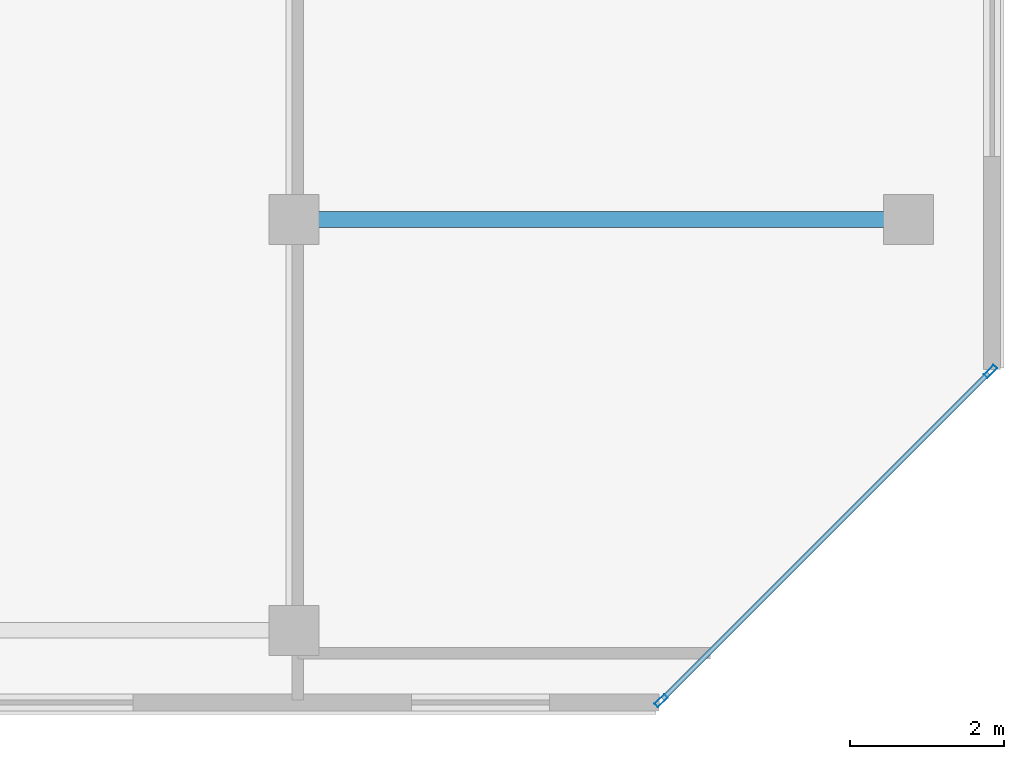
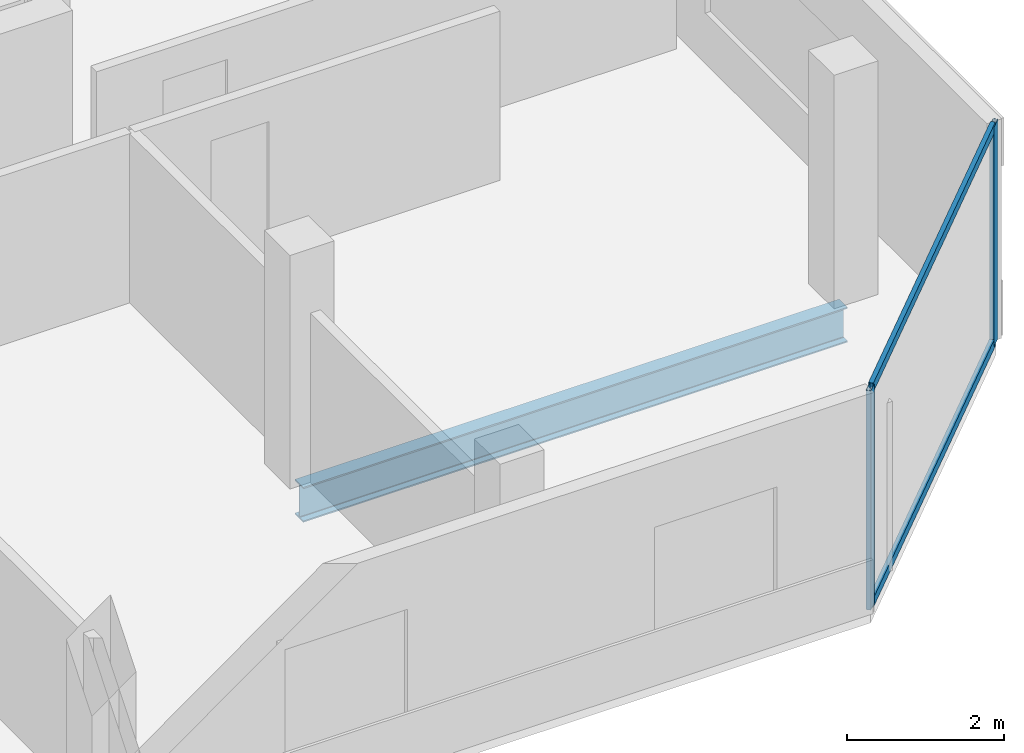
# One storey, part 16 of 28: 4 members, 1 beam, 1 element without a shape of its own.
"""IFC4 building model written with IfcOpenShell, lengths in metres."""

from ifc_helpers import new_model, si_unit, direction, frame, origin, origin_2d, place, context, subcontext, project, spatial, hollow_rectangle, i_section, extrude, material, layer, layer_set, material_profile, profile_set, type_object, element, aggregate, save


model = new_model("IFC4")

# Units and contexts
model_context = context("Model", 3, precision=1e-05, world=origin(), true_north=direction((0.0, 1.0)))
body_context = subcontext(model_context, "Body", "Model", "MODEL_VIEW")
ifc_project = project(units=[si_unit("LENGTHUNIT", "METRE"), si_unit("AREAUNIT", "SQUARE_METRE"), si_unit("VOLUMEUNIT", "CUBIC_METRE"), si_unit("PLANEANGLEUNIT", "RADIAN"), si_unit("MASSUNIT", "GRAM", prefix="KILO")], contexts=[model_context])

# Site, building, storey
site_placement = place(None, origin())
site = spatial("IfcSite", under=ifc_project, at=site_placement, CompositionType="ELEMENT")
building_placement = place(site_placement, origin())
building = spatial("IfcBuilding", under=site, at=building_placement, Name="Tanjung Sevakor Pilgrim Tower", CompositionType="ELEMENT")
storey_placement = place(building_placement, frame((0.0, 0.0, 249.81005859375)))
storey = spatial("IfcBuildingStorey", under=building, at=storey_placement, Name="L70", CompositionType="ELEMENT", Elevation=249.81005859375)

# Beam
ifc_material_1 = material(Name="Steel S355J2", Category="steel")
ifc_material_profile_1 = material_profile(ifc_material_1, i_section(OverallWidth=0.2119140625, OverallDepth=0.54443359375, WebThickness=0.0126953125, FlangeThickness=0.021240234375, FilletRadius=0.0126953125, at=origin_2d()))
ifc_profile_set_1 = profile_set([ifc_material_profile_1], Name="Steel S355J2")
beam_type = type_object("IfcBeamType", Name="BM-B-G5-UB_533x210x122", PredefinedType="BEAM", material=ifc_profile_set_1)
beam_placement = place(storey_placement, frame((90.0, 18.60009765625, -0.492431640625), z_axis=(1.0, 0.0, 0.0), x_axis=(0.0, 1.0, 0.0)))
element("IfcBeam", 1, at=beam_placement, inside=storey, type_object=beam_type, Name="L70 East Peak Wing Girder Y18.6", PredefinedType="BEAM", context=body_context, shape_type="SweptSolid", body=[
    extrude(i_section(OverallWidth=0.2119140625, OverallDepth=0.54443359375, WebThickness=0.0126953125, FlangeThickness=0.021240234375, FilletRadius=0.0126953125, at=origin_2d()), origin(), (0.0, 0.0, 1.0), 8.0),
])

# Curtain wall, members
ifc_material_2 = material(Name="Aluminium 6063-T6 and Low-E Glass", Category="aluminium")
ifc_layer = layer(ifc_material_2, 0.179931640625)
ifc_layer_set = layer_set([ifc_layer], Name="CW-SYS-CHAM")
curtain_wall_type = type_object("IfcCurtainWallType", Name="CW-SYS-CHAM", PredefinedType="NOTDEFINED", material=ifc_layer_set)
curtain_wall_placement = place(storey_placement, origin())
curtain_wall = element("IfcCurtainWall", 2, at=curtain_wall_placement, inside=storey, type_object=curtain_wall_type, Name="L70 Curtain Wall CW-CHM-L70-EAST-1", PredefinedType="NOTDEFINED")
ifc_material_3 = material(Name="Aluminium 6063-T6", Category="aluminium")
ifc_material_profile_2 = material_profile(ifc_material_3, hollow_rectangle(XDim=0.06494140625, YDim=0.179931640625, WallThickness=0.00390625, at=origin_2d()))
ifc_profile_set_2 = profile_set([ifc_material_profile_2], Name="Aluminium 6063-T6")
member_type_1 = type_object("IfcMemberType", Name="TYPE-CWM-1", PredefinedType="MULLION", material=ifc_profile_set_2)
member_1_placement = place(storey_placement, frame((94.77734375, 12.3330078125, 0.0), z_axis=(0.0, 0.0, 1.0), x_axis=(-0.707106781187, 0.707106781187, 0.0)))
member_1 = element("IfcMember", 3, at=member_1_placement, type_object=member_type_1, Name="CW-CHM mullion 1", PredefinedType="MULLION", context=body_context, shape_type="SweptSolid", body=[
    extrude(hollow_rectangle(XDim=0.06494140625, YDim=0.179931640625, WallThickness=0.00390625, at=origin_2d()), origin(), (0.0, 0.0, 1.0), 3.409912109375),
])
member_2_placement = place(storey_placement, frame((99.067138671875, 16.62255859375, 0.0), z_axis=(0.0, 0.0, 1.0), x_axis=(-0.707106781187, 0.707106781187, 0.0)))
member_2 = element("IfcMember", 4, at=member_2_placement, type_object=member_type_1, Name="CW-CHM mullion 2", PredefinedType="MULLION", context=body_context, shape_type="SweptSolid", body=[
    extrude(hollow_rectangle(XDim=0.06494140625, YDim=0.179931640625, WallThickness=0.00390625, at=origin_2d()), origin(), (0.0, 0.0, 1.0), 3.409912109375),
])
ifc_material_4 = material(Name="Aluminium 6063-T6", Category="aluminium")
ifc_material_profile_3 = material_profile(ifc_material_4, hollow_rectangle(XDim=0.06494140625, YDim=0.139892578125, WallThickness=0.00390625, at=origin_2d()))
ifc_profile_set_3 = profile_set([ifc_material_profile_3], Name="Aluminium 6063-T6")
member_type_2 = type_object("IfcMemberType", Name="TYPE-CWT-1", PredefinedType="USERDEFINED", material=ifc_profile_set_3)
member_3_placement = place(storey_placement, frame((94.80029296875, 12.35595703125, 0.032470703125), z_axis=(0.707106781187, 0.707106781187, 0.0), x_axis=(-0.707106781187, 0.707106781187, 0.0)))
member_3 = element("IfcMember", 5, at=member_3_placement, type_object=member_type_2, Name="CW-CHM transom 1.1", ObjectType="TRANSOM", PredefinedType="USERDEFINED", context=body_context, shape_type="SweptSolid", body=[
    extrude(hollow_rectangle(XDim=0.06494140625, YDim=0.139892578125, WallThickness=0.00390625, at=origin_2d()), origin(), (0.0, 0.0, 1.0), 6.00146484375),
])
member_4_placement = place(storey_placement, frame((94.80029296875, 12.35595703125, 3.37744140625), z_axis=(0.707106781187, 0.707106781187, 0.0), x_axis=(-0.707106781187, 0.707106781187, 0.0)))
member_4 = element("IfcMember", 6, at=member_4_placement, type_object=member_type_2, Name="CW-CHM transom 1.2", ObjectType="TRANSOM", PredefinedType="USERDEFINED", context=body_context, shape_type="SweptSolid", body=[
    extrude(hollow_rectangle(XDim=0.06494140625, YDim=0.139892578125, WallThickness=0.00390625, at=origin_2d()), origin(), (0.0, 0.0, 1.0), 6.00146484375),
])
aggregate(curtain_wall, [member_1, member_2, member_3, member_4])

save(model, "model.ifc")
